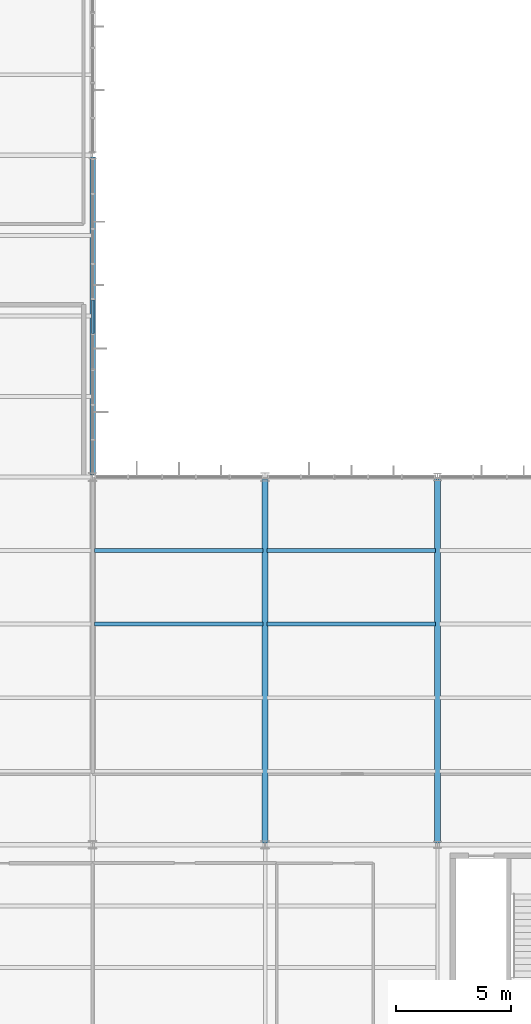
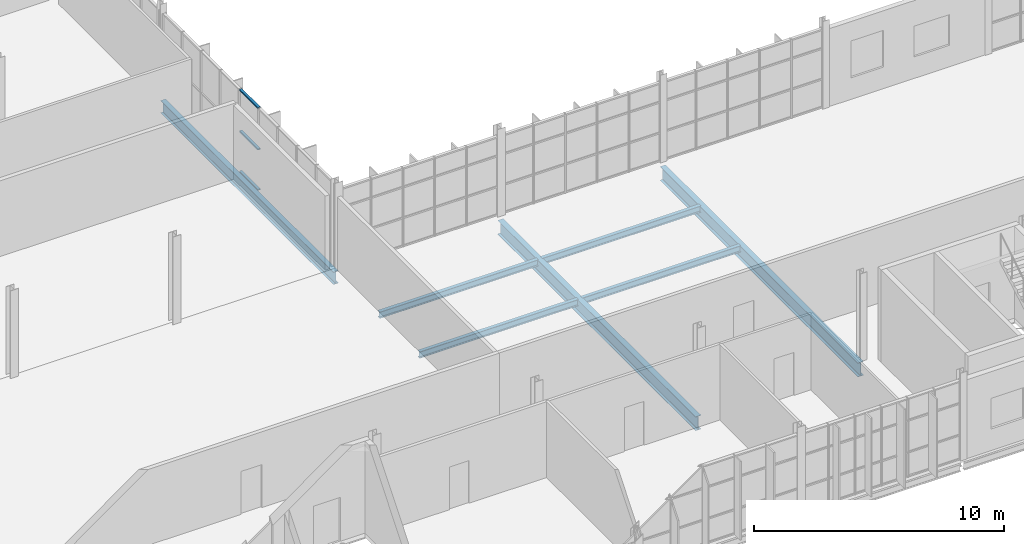
# One storey, part 31 of 324: 7 beams, 3 members, 1 element without a shape of its own.
"""IFC4 building model written with IfcOpenShell, lengths in metres."""

from ifc_helpers import new_model, si_unit, direction, frame, origin, origin_2d, place, context, subcontext, project, spatial, hollow_rectangle, i_section, extrude, material, layer, layer_set, material_profile, profile_set, type_object, element, aggregate, save


model = new_model("IFC4")

# Units and contexts
model_context = context("Model", 3, precision=1e-05, world=origin(), true_north=direction((0.0, 1.0)))
body_context = subcontext(model_context, "Body", "Model", "MODEL_VIEW")
ifc_project = project(units=[si_unit("LENGTHUNIT", "METRE"), si_unit("AREAUNIT", "SQUARE_METRE"), si_unit("VOLUMEUNIT", "CUBIC_METRE"), si_unit("PLANEANGLEUNIT", "RADIAN"), si_unit("MASSUNIT", "GRAM", prefix="KILO")], contexts=[model_context])

# Site, building, storey
site_placement = place(None, origin())
site = spatial("IfcSite", under=ifc_project, at=site_placement, CompositionType="ELEMENT")
building_placement = place(site_placement, origin())
building = spatial("IfcBuilding", under=site, at=building_placement, Name="Solvenia Promenade Tram Depot", CompositionType="ELEMENT")
storey_placement = place(building_placement, frame((0.0, 0.0, 4.5)))
storey = spatial("IfcBuildingStorey", under=building, at=storey_placement, Name="L01", CompositionType="ELEMENT", Elevation=4.5)

# Curtain wall, members
ifc_material_1 = material(Name="Anodized aluminium AW-6063 T6", Category="aluminium")
ifc_layer = layer(ifc_material_1, 0.1201171875, Name="Anodized aluminium AW-6063 T6", Category="aluminium")
ifc_layer_set = layer_set([ifc_layer], Name="Anodized aluminium AW-6063 T6")
curtain_wall_type = type_object("IfcCurtainWallType", Name="CW-Wash-1500", PredefinedType="NOTDEFINED", material=ifc_layer_set)
curtain_wall_placement = place(storey_placement, origin())
curtain_wall = element("IfcCurtainWall", 1, at=curtain_wall_placement, inside=storey, type_object=curtain_wall_type, Name="Curtain Wall CW-V3-E-L1-1", PredefinedType="NOTDEFINED")
ifc_material_profile_1 = material_profile(ifc_material_1, hollow_rectangle(XDim=0.1201171875, YDim=0.06005859375, WallThickness=0.00390625, at=origin_2d()), Name="ALU-T1", Category="aluminium")
ifc_profile_set_1 = profile_set([ifc_material_profile_1], Name="Anodized aluminium AW-6063 T6")
member_type = type_object("IfcMemberType", Name="CWT-Transom-1", PredefinedType="USERDEFINED", material=ifc_profile_set_1)
member_1_placement = place(storey_placement, frame((45.0, 30.23046875, 0.030029296875), z_axis=(0.0, 1.0, 0.0), x_axis=(-1.0, 0.0, 0.0)))
member_1 = element("IfcMember", 2, at=member_1_placement, type_object=member_type, Name="CW-10 transom 5.1", ObjectType="TRANSOM", PredefinedType="USERDEFINED", context=body_context, shape_type="SweptSolid", body=[
    extrude(hollow_rectangle(XDim=0.1201171875, YDim=0.06005859375, WallThickness=0.00390625, at=origin_2d()), origin(), (0.0, 0.0, 1.0), 1.47900390625),
])
member_2_placement = place(storey_placement, frame((45.0, 30.23046875, 2.0), z_axis=(0.0, 1.0, 0.0), x_axis=(-1.0, 0.0, 0.0)))
member_2 = element("IfcMember", 3, at=member_2_placement, type_object=member_type, Name="CW-10 transom 5.2", ObjectType="TRANSOM", PredefinedType="USERDEFINED", context=body_context, shape_type="SweptSolid", body=[
    extrude(hollow_rectangle(XDim=0.1201171875, YDim=0.06005859375, WallThickness=0.00390625, at=origin_2d()), origin(), (0.0, 0.0, 1.0), 1.47900390625),
])
member_3_placement = place(storey_placement, frame((45.0, 30.23046875, 4.02001953125), z_axis=(0.0, 1.0, 0.0), x_axis=(-1.0, 0.0, 0.0)))
member_3 = element("IfcMember", 4, at=member_3_placement, type_object=member_type, Name="CW-10 transom 5.3", ObjectType="TRANSOM", PredefinedType="USERDEFINED", context=body_context, shape_type="SweptSolid", body=[
    extrude(hollow_rectangle(XDim=0.1201171875, YDim=0.06005859375, WallThickness=0.00390625, at=origin_2d()), origin(), (0.0, 0.0, 1.0), 1.47900390625),
])
aggregate(curtain_wall, [member_1, member_2, member_3])

# Beams
ifc_material_2 = material(Name="Structural steel ASTM A992 Gr. 50", Category="steel")
ifc_material_profile_2 = material_profile(ifc_material_2, i_section(OverallWidth=0.22900390625, OverallDepth=0.612060546875, WebThickness=0.011962890625, FlangeThickness=0.01953125, FilletRadius=0.014892578125, at=origin_2d()), Name="W610x125", Category="steel")
ifc_profile_set_2 = profile_set([ifc_material_profile_2], Name="Structural steel ASTM A992 Gr. 50")
beam_type_1 = type_object("IfcBeamType", Name="Gird-W610x125", PredefinedType="BEAM", material=ifc_profile_set_2)
beam_placement = place(storey_placement, frame((45.0, 24.0849609375, -0.5458984375), z_axis=(0.0, 1.0, 0.0), x_axis=(-1.0, 0.0, 0.0)))
element("IfcBeam", 5, at=beam_placement, inside=storey, type_object=beam_type_1, Name="Transverse Girder BM-L01-0247", PredefinedType="BEAM", context=body_context, shape_type="SweptSolid", body=[
    extrude(i_section(OverallWidth=0.22900390625, OverallDepth=0.612060546875, WebThickness=0.011962890625, FlangeThickness=0.01953125, FilletRadius=0.014892578125, at=origin_2d()), origin(), (0.0, 0.0, 1.0), 13.830078125),
])
ifc_material_profile_3 = material_profile(ifc_material_2, i_section(OverallWidth=0.25390625, OverallDepth=0.68408203125, WebThickness=0.012451171875, FlangeThickness=0.018798828125, FilletRadius=0.01611328125, at=origin_2d()), Name="W690x140", Category="steel")
ifc_profile_set_3 = profile_set([ifc_material_profile_3], Name="Structural steel ASTM A992 Gr. 50")
beam_type_2 = type_object("IfcBeamType", Name="Gird-W690x140", PredefinedType="BEAM", material=ifc_profile_set_3)
for number, where, z_axis, x_axis, name in (
    (6, (52.5, 8.0849609375, -0.56201171875), (0.0, 1.0, 0.0), (-1.0, 0.0, 0.0), "Transverse Girder BM-L01-0344"),
    (7, (60.0, 8.0849609375, -0.56201171875), (0.0, 1.0, 0.0), (-1.0, 0.0, 0.0), "Transverse Girder BM-L01-0346"),
):
    element("IfcBeam", number, at=place(storey_placement, frame(where, z_axis=z_axis, x_axis=x_axis)), inside=storey, type_object=beam_type_2, Name=name, PredefinedType="BEAM", context=body_context, shape_type="SweptSolid", body=[
        extrude(i_section(OverallWidth=0.25390625, OverallDepth=0.68408203125, WebThickness=0.012451171875, FlangeThickness=0.018798828125, FilletRadius=0.01611328125, at=origin_2d()), origin(), (0.0, 0.0, 1.0), 15.830078125),
    ])
ifc_material_profile_4 = material_profile(ifc_material_2, i_section(OverallWidth=0.166015625, OverallDepth=0.31298828125, WebThickness=0.006591796875, FlangeThickness=0.01123046875, FilletRadius=0.010009765625, at=origin_2d()), Name="W310x45", Category="steel")
ifc_profile_set_4 = profile_set([ifc_material_profile_4], Name="Structural steel ASTM A992 Gr. 50")
beam_type_3 = type_object("IfcBeamType", Name="Joist-W310x45", PredefinedType="JOIST", material=ifc_profile_set_4)
for number, where, z_axis, x_axis, name in (
    (8, (45.0849609375, 17.60009765625, -0.37646484375), (1.0, 0.0, 0.0), (0.0, 1.0, 0.0), "Secondary Floor Joist BM-L01-0390"),
    (9, (45.0849609375, 20.800048828125, -0.37646484375), (1.0, 0.0, 0.0), (0.0, 1.0, 0.0), "Secondary Floor Joist BM-L01-0391"),
    (10, (52.5849609375, 17.60009765625, -0.37646484375), (1.0, 0.0, 0.0), (0.0, 1.0, 0.0), "Secondary Floor Joist BM-L01-0396"),
    (11, (52.5849609375, 20.800048828125, -0.37646484375), (1.0, 0.0, 0.0), (0.0, 1.0, 0.0), "Secondary Floor Joist BM-L01-0397"),
):
    element("IfcBeam", number, at=place(storey_placement, frame(where, z_axis=z_axis, x_axis=x_axis)), inside=storey, type_object=beam_type_3, Name=name, PredefinedType="JOIST", context=body_context, shape_type="SweptSolid", body=[
        extrude(i_section(OverallWidth=0.166015625, OverallDepth=0.31298828125, WebThickness=0.006591796875, FlangeThickness=0.01123046875, FilletRadius=0.010009765625, at=origin_2d()), origin(), (0.0, 0.0, 1.0), 7.330078125),
    ])

save(model, "model.ifc")
